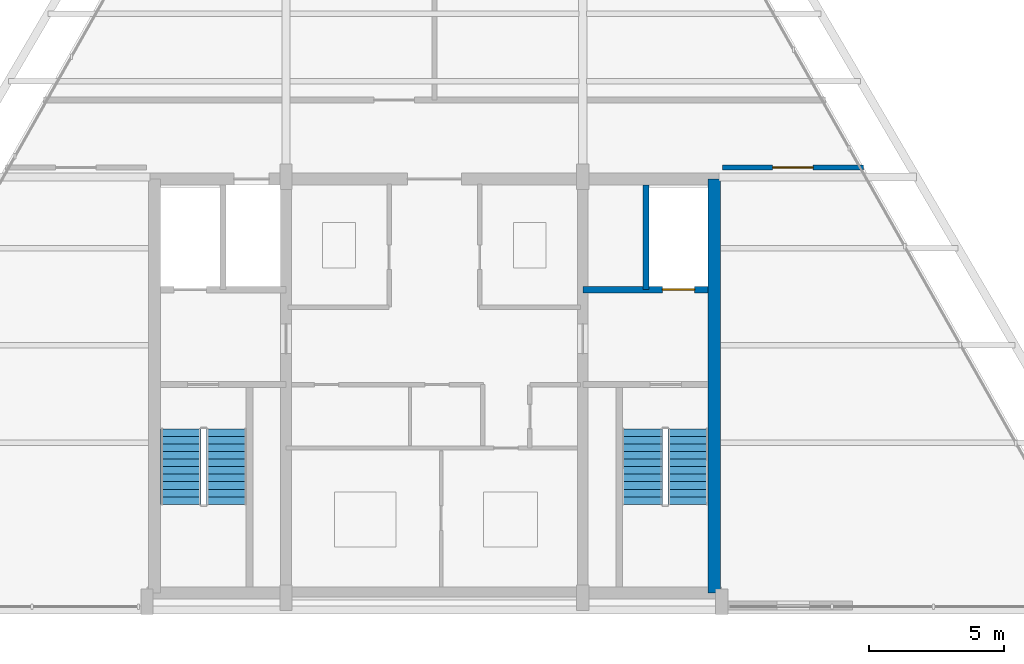
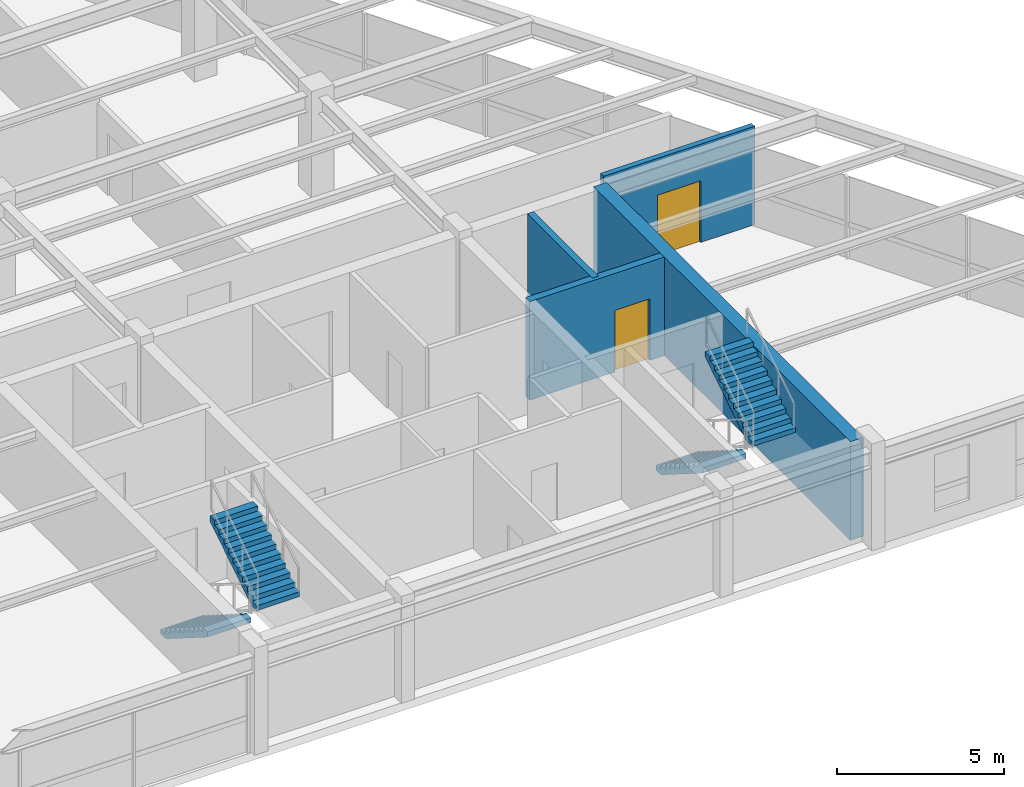
# One storey, part 11 of 12: 4 stair flights, 4 walls, 2 doors, 2 openings, 2 elements without a shape of their own.
"""IFC4 building model written with IfcOpenShell, lengths in metres."""

from ifc_helpers import new_model, si_unit, direction, frame, frame_2d, origin, place, context, subcontext, project, spatial, polyline, rectangle, outline, extrude, source, transform, mapped, material, layer, layer_set, type_object, type_shapes, element, fill, aggregate, save


model = new_model("IFC4")

# Units and contexts
model_context = context("Model", 3, precision=1e-05, world=origin(), true_north=direction((0.0, 1.0)))
body_context = subcontext(model_context, "Body", "Model", "MODEL_VIEW")
ifc_project = project(units=[si_unit("LENGTHUNIT", "METRE"), si_unit("AREAUNIT", "SQUARE_METRE"), si_unit("VOLUMEUNIT", "CUBIC_METRE"), si_unit("PLANEANGLEUNIT", "RADIAN"), si_unit("MASSUNIT", "GRAM", prefix="KILO")], contexts=[model_context])

# Site, building, storey
site_placement = place(None, origin())
site = spatial("IfcSite", under=ifc_project, at=site_placement, CompositionType="ELEMENT")
building_placement = place(site_placement, origin())
building = spatial("IfcBuilding", under=site, at=building_placement, Name="Varnakhor Terracotta Tower", CompositionType="ELEMENT")
storey_placement = place(building_placement, frame((0.0, 0.0, 317.5)))
storey = spatial("IfcBuildingStorey", under=building, at=storey_placement, Name="L83 Crown", CompositionType="ELEMENT", Elevation=317.5)

# Wall
ifc_material_1 = material(Name="Concrete C50/60", Category="concrete")
ifc_layer_1 = layer(ifc_material_1, 0.449951171875, Name="Concrete C50/60")
ifc_layer_set_1 = layer_set([ifc_layer_1], Name="Concrete C50/60")
wall_type_1 = type_object("IfcWallType", Name="WAL-CORE-450", PredefinedType="SHEAR", material=ifc_layer_set_1)
wall_1_placement = place(storey_placement, frame((10.375, 0.625, 0.0), z_axis=(0.0, 0.0, 1.0), x_axis=(0.0, 1.0, 0.0)))
element("IfcWall", 1, at=wall_1_placement, inside=storey, type_object=wall_type_1, Name="L83 Crown East Core Shear Wall", PredefinedType="SHEAR", context=body_context, shape_type="SweptSolid", body=[
    extrude(rectangle(XDim=15.35009765625, YDim=0.449951171875, at=frame_2d((7.675048828125, 0.0))), origin(), (0.0, 0.0, 1.0), 3.60009765625),
])

# Wall, opening, door
ifc_material_2 = material(Name="Fire-Rated Gypsum Stud Partition", Category="gypsum")
ifc_layer_2 = layer(ifc_material_2, 0.18505859375, Name="Fire-Rated Gypsum Stud Partition")
ifc_layer_set_2 = layer_set([ifc_layer_2], Name="Fire-Rated Gypsum Stud Partition")
wall_type_2 = type_object("IfcWallType", Name="WAL-CORR-185", PredefinedType="PARTITIONING", material=ifc_layer_set_2)
wall_2_placement = place(storey_placement, frame((10.679931640625, 16.39990234375, 0.0), z_axis=(0.0, 0.0, 1.0), x_axis=(1.0, 0.0, 0.0)))
wall_2 = element("IfcWall", 2, at=wall_2_placement, inside=storey, type_object=wall_type_2, Name="L83 Crown East Plant Wall", PredefinedType="PARTITIONING", context=body_context, shape_type="SweptSolid", body=[
    extrude(rectangle(XDim=5.22265625, YDim=0.18505859375, at=frame_2d((2.611328125, 0.0))), origin(), (0.0, 0.0, 1.0), 3.592041015625),
])
opening_1_placement = place(wall_2_placement, frame((1.861328125, 0.0, 0.0)))
opening_1 = element("IfcOpeningElement", 3, at=opening_1_placement, cuts=wall_2, Name="Opening DR-30", PredefinedType="OPENING", context=body_context, shape_type="SweptSolid", body=[
    extrude(rectangle(XDim=1.5, YDim=2.25, at=frame_2d((0.75, 1.125))), frame((0.0, 0.1025390625, 0.0), z_axis=(0.0, -1.0, 0.0), x_axis=(1.0, 0.0, 0.0)), (0.0, 0.0, 1.0), 0.205078125),
])
ifc_material_3 = material(Name="Double Acoustic Conference Room Door", Category="wood")
door_type_1 = type_object("IfcDoorType", Name="DR-MEET-1500X2250", OperationType="NOTDEFINED", PredefinedType="DOOR", material=ifc_material_3)
shared_shape_1 = source(origin(), body_context, "Body", "SweptSolid", [
    extrude(rectangle(XDim=1.5, YDim=2.25, at=frame_2d((0.75, 1.125))), frame((0.0, 0.02490234375, 0.0), z_axis=(0.0, -1.0, 0.0), x_axis=(1.0, 0.0, 0.0)), (0.0, 0.0, 1.0), 0.050048828125),
])
type_shapes(door_type_1, [shared_shape_1])
door_1_placement = place(opening_1_placement, origin())
door_1 = element("IfcDoor", 4, at=door_1_placement, inside=storey, type_object=door_type_1, Name="L83 Crown East Electrical Room Door", OperationType="DOUBLE_DOOR_SINGLE_SWING", OverallHeight=2.25, OverallWidth=1.5, PredefinedType="DOOR", context=body_context, shape_type="MappedRepresentation", body=[
    mapped(shared_shape_1, transform((0.0, 0.0, 0.0), scale=1.0)),
])
fill(opening_1, door_1)

# Wall
ifc_material_4 = material(Name="Concrete C40/50", Category="concrete")
ifc_layer_3 = layer(ifc_material_4, 0.219970703125, Name="Concrete C40/50")
ifc_layer_set_3 = layer_set([ifc_layer_3], Name="Concrete C40/50")
wall_type_3 = type_object("IfcWallType", Name="WAL-SHAFT-220", PredefinedType="SOLIDWALL", material=ifc_layer_set_3)
wall_3_placement = place(storey_placement, frame((7.840087890625, 11.8701171875, 0.0), z_axis=(0.0, 0.0, 1.0), x_axis=(0.0, 1.0, 0.0)))
element("IfcWall", 5, at=wall_3_placement, inside=storey, type_object=wall_type_3, Name="L83 Crown Lift FFL-2 and Riser Divider Wall", PredefinedType="SOLIDWALL", context=body_context, shape_type="SweptSolid", body=[
    extrude(rectangle(XDim=3.8798828125, YDim=0.219970703125, at=frame_2d((1.93994140625, 0.0))), origin(), (0.0, 0.0, 1.0), 3.60009765625),
])

# Wall, opening, door
ifc_layer_4 = layer(ifc_material_4, 0.25, Name="Concrete C40/50")
ifc_layer_set_4 = layer_set([ifc_layer_4], Name="Concrete C40/50")
wall_type_4 = type_object("IfcWallType", Name="WAL-SHAFT-250", PredefinedType="SOLIDWALL", material=ifc_layer_set_4)
wall_4_placement = place(storey_placement, frame((10.14990234375, 11.8701171875, 0.0), z_axis=(0.0, 0.0, 1.0), x_axis=(-1.0, 0.0, 0.0)))
wall_4 = element("IfcWall", 6, at=wall_4_placement, inside=storey, type_object=wall_type_4, Name="L83 Crown Lift FFL-2 Shaft Front Wall", PredefinedType="SOLIDWALL", context=body_context, shape_type="SweptSolid", body=[
    extrude(rectangle(XDim=4.64990234375, YDim=0.25, at=frame_2d((2.324951171875, 0.0))), origin(), (0.0, 0.0, 1.0), 3.60009765625),
])
opening_2_placement = place(wall_4_placement, frame((0.5, 0.0, 0.0)))
opening_2 = element("IfcOpeningElement", 7, at=opening_2_placement, cuts=wall_4, Name="Opening LD-02", PredefinedType="OPENING", context=body_context, shape_type="SweptSolid", body=[
    extrude(rectangle(XDim=1.199951171875, YDim=2.25, at=frame_2d((0.60009765625, 1.125))), frame((0.0, 0.135009765625, 0.0), z_axis=(0.0, -1.0, 0.0), x_axis=(1.0, 0.0, 0.0)), (0.0, 0.0, 1.0), 0.27001953125),
])
ifc_material_5 = material(Name="Firefighting Stretcher Sliding Lift Landing Door", Category="steel")
door_type_2 = type_object("IfcDoorType", Name="LD-FFL-1200X2250", OperationType="NOTDEFINED", PredefinedType="DOOR", material=ifc_material_5)
shared_shape_2 = source(origin(), body_context, "Body", "SweptSolid", [
    extrude(rectangle(XDim=1.199951171875, YDim=2.25, at=frame_2d((0.60009765625, 1.125))), frame((0.0, 0.02490234375, 0.0), z_axis=(0.0, -1.0, 0.0), x_axis=(1.0, 0.0, 0.0)), (0.0, 0.0, 1.0), 0.050048828125),
])
type_shapes(door_type_2, [shared_shape_2])
door_2_placement = place(opening_2_placement, origin())
door_2 = element("IfcDoor", 8, at=door_2_placement, inside=storey, type_object=door_type_2, Name="L83 Crown Firefighting Lift FFL-2 Landing Door", OperationType="SLIDING_TO_RIGHT", OverallHeight=2.25, OverallWidth=1.199951171875, PredefinedType="DOOR", context=body_context, shape_type="MappedRepresentation", body=[
    mapped(shared_shape_2, transform((0.0, 0.0, 0.0), scale=1.0)),
])
fill(opening_2, door_2)

# Stair, stair flights
stair_type = type_object("IfcStairType", Name="STR-CORE-HOTEL-1500", PredefinedType="HALF_TURN_STAIR", material=ifc_material_4)
stair_1_placement = place(storey_placement, origin())
stair_1 = element("IfcStair", 9, at=stair_1_placement, inside=storey, type_object=stair_type, Name="L83 Crown Core Exit Stair ST-1", PredefinedType="HALF_TURN_STAIR")
stair_flight_type = type_object("IfcStairFlightType", Name="FLT-HOTEL-1500", PredefinedType="STRAIGHT", material=ifc_material_4)
stair_flight_1_placement = place(storey_placement, frame((-9.39990234375, 6.7099609375, 0.0), z_axis=(0.0, 0.0, 1.0), x_axis=(0.0, -1.0, 0.0)))
stair_flight_1 = element("IfcStairFlight", 10, at=stair_flight_1_placement, type_object=stair_flight_type, Name="ST-1 flight 1", NumberOfRisers=11, NumberOfTreads=10, PredefinedType="STRAIGHT", RiserHeight=0.177272727, TreadLength=0.28, context=body_context, shape_type="SweptSolid", body=[
    extrude(outline(polyline([(0.0, 0.0), (0.0, 0.17724609375), (0.280029296875, 0.17724609375), (0.280029296875, 0.3544921875), (0.56005859375, 0.3544921875), (0.56005859375, 0.53173828125), (0.840087890625, 0.53173828125), (0.840087890625, 0.708984375), (1.1201171875, 0.708984375), (1.1201171875, 0.886474609375), (1.39990234375, 0.886474609375), (1.39990234375, 1.063720703125), (1.679931640625, 1.063720703125), (1.679931640625, 1.240966796875), (1.9599609375, 1.240966796875), (1.9599609375, 1.418212890625), (2.239990234375, 1.418212890625), (2.239990234375, 1.595458984375), (2.52001953125, 1.595458984375), (2.52001953125, 1.772705078125), (2.800048828125, 1.772705078125), (2.800048828125, 1.949951171875), (2.800048828125, 1.58349609375), (0.298828125, 0.0), (0.0, 0.0)])), frame((0.0, 0.75, 0.0), z_axis=(0.0, -1.0, 0.0), x_axis=(1.0, 0.0, 0.0)), (0.0, 0.0, 1.0), 1.5),
])
stair_flight_2_placement = place(storey_placement, frame((-7.699951171875, 3.909912109375, 1.949951171875), z_axis=(0.0, 0.0, 1.0), x_axis=(0.0, 1.0, 0.0)))
stair_flight_2 = element("IfcStairFlight", 11, at=stair_flight_2_placement, type_object=stair_flight_type, Name="ST-1 flight 2", NumberOfRisers=11, NumberOfTreads=10, PredefinedType="STRAIGHT", RiserHeight=0.177272727, TreadLength=0.28, context=body_context, shape_type="SweptSolid", body=[
    extrude(outline(polyline([(0.0, 0.0), (0.0, 0.17724609375), (0.280029296875, 0.17724609375), (0.280029296875, 0.3544921875), (0.56005859375, 0.3544921875), (0.56005859375, 0.53173828125), (0.840087890625, 0.53173828125), (0.840087890625, 0.708984375), (1.1201171875, 0.708984375), (1.1201171875, 0.886474609375), (1.39990234375, 0.886474609375), (1.39990234375, 1.063720703125), (1.679931640625, 1.063720703125), (1.679931640625, 1.240966796875), (1.9599609375, 1.240966796875), (1.9599609375, 1.418212890625), (2.239990234375, 1.418212890625), (2.239990234375, 1.595458984375), (2.52001953125, 1.595458984375), (2.52001953125, 1.772705078125), (2.800048828125, 1.772705078125), (2.800048828125, 1.949951171875), (2.800048828125, 1.58349609375), (0.298828125, 0.0), (0.0, 0.0)])), frame((0.0, 0.75, 0.0), z_axis=(0.0, -1.0, 0.0), x_axis=(1.0, 0.0, 0.0)), (0.0, 0.0, 1.0), 1.5),
])
aggregate(stair_1, [stair_flight_1, stair_flight_2])

stair_2_placement = place(storey_placement, origin())
stair_2 = element("IfcStair", 12, at=stair_2_placement, inside=storey, type_object=stair_type, Name="L83 Crown Core Exit Stair ST-2", PredefinedType="HALF_TURN_STAIR")
stair_flight_3_placement = place(storey_placement, frame((7.699951171875, 6.7099609375, 0.0), z_axis=(0.0, 0.0, 1.0), x_axis=(0.0, -1.0, 0.0)))
stair_flight_3 = element("IfcStairFlight", 13, at=stair_flight_3_placement, type_object=stair_flight_type, Name="ST-2 flight 1", NumberOfRisers=11, NumberOfTreads=10, PredefinedType="STRAIGHT", RiserHeight=0.177272727, TreadLength=0.28, context=body_context, shape_type="SweptSolid", body=[
    extrude(outline(polyline([(0.0, 0.0), (0.0, 0.17724609375), (0.280029296875, 0.17724609375), (0.280029296875, 0.3544921875), (0.56005859375, 0.3544921875), (0.56005859375, 0.53173828125), (0.840087890625, 0.53173828125), (0.840087890625, 0.708984375), (1.1201171875, 0.708984375), (1.1201171875, 0.886474609375), (1.39990234375, 0.886474609375), (1.39990234375, 1.063720703125), (1.679931640625, 1.063720703125), (1.679931640625, 1.240966796875), (1.9599609375, 1.240966796875), (1.9599609375, 1.418212890625), (2.239990234375, 1.418212890625), (2.239990234375, 1.595458984375), (2.52001953125, 1.595458984375), (2.52001953125, 1.772705078125), (2.800048828125, 1.772705078125), (2.800048828125, 1.949951171875), (2.800048828125, 1.58349609375), (0.298828125, 0.0), (0.0, 0.0)])), frame((0.0, 0.75, 0.0), z_axis=(0.0, -1.0, 0.0), x_axis=(1.0, 0.0, 0.0)), (0.0, 0.0, 1.0), 1.5),
])
stair_flight_4_placement = place(storey_placement, frame((9.39990234375, 3.909912109375, 1.949951171875), z_axis=(0.0, 0.0, 1.0), x_axis=(0.0, 1.0, 0.0)))
stair_flight_4 = element("IfcStairFlight", 14, at=stair_flight_4_placement, type_object=stair_flight_type, Name="ST-2 flight 2", NumberOfRisers=11, NumberOfTreads=10, PredefinedType="STRAIGHT", RiserHeight=0.177272727, TreadLength=0.28, context=body_context, shape_type="SweptSolid", body=[
    extrude(outline(polyline([(0.0, 0.0), (0.0, 0.17724609375), (0.280029296875, 0.17724609375), (0.280029296875, 0.3544921875), (0.56005859375, 0.3544921875), (0.56005859375, 0.53173828125), (0.840087890625, 0.53173828125), (0.840087890625, 0.708984375), (1.1201171875, 0.708984375), (1.1201171875, 0.886474609375), (1.39990234375, 0.886474609375), (1.39990234375, 1.063720703125), (1.679931640625, 1.063720703125), (1.679931640625, 1.240966796875), (1.9599609375, 1.240966796875), (1.9599609375, 1.418212890625), (2.239990234375, 1.418212890625), (2.239990234375, 1.595458984375), (2.52001953125, 1.595458984375), (2.52001953125, 1.772705078125), (2.800048828125, 1.772705078125), (2.800048828125, 1.949951171875), (2.800048828125, 1.58349609375), (0.298828125, 0.0), (0.0, 0.0)])), frame((0.0, 0.75, 0.0), z_axis=(0.0, -1.0, 0.0), x_axis=(1.0, 0.0, 0.0)), (0.0, 0.0, 1.0), 1.5),
])
aggregate(stair_2, [stair_flight_3, stair_flight_4])

save(model, "model.ifc")
